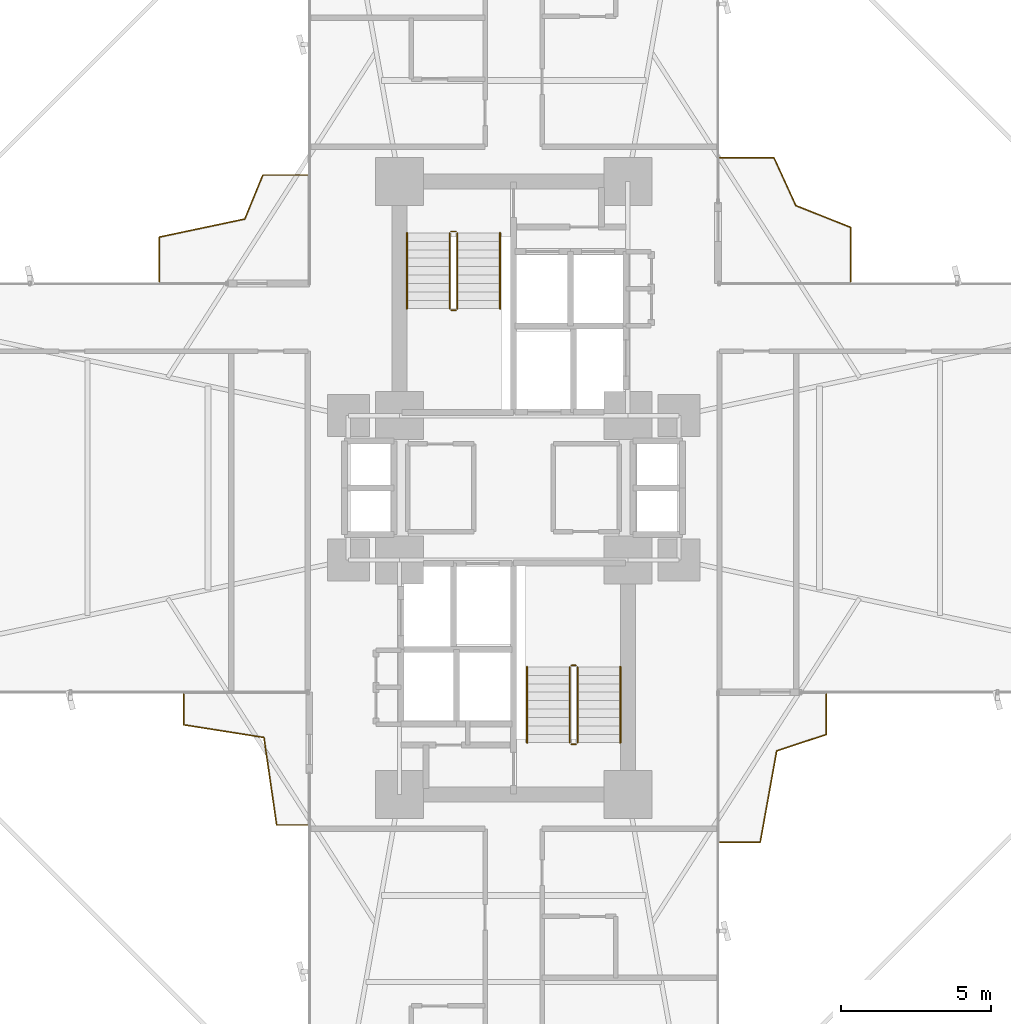
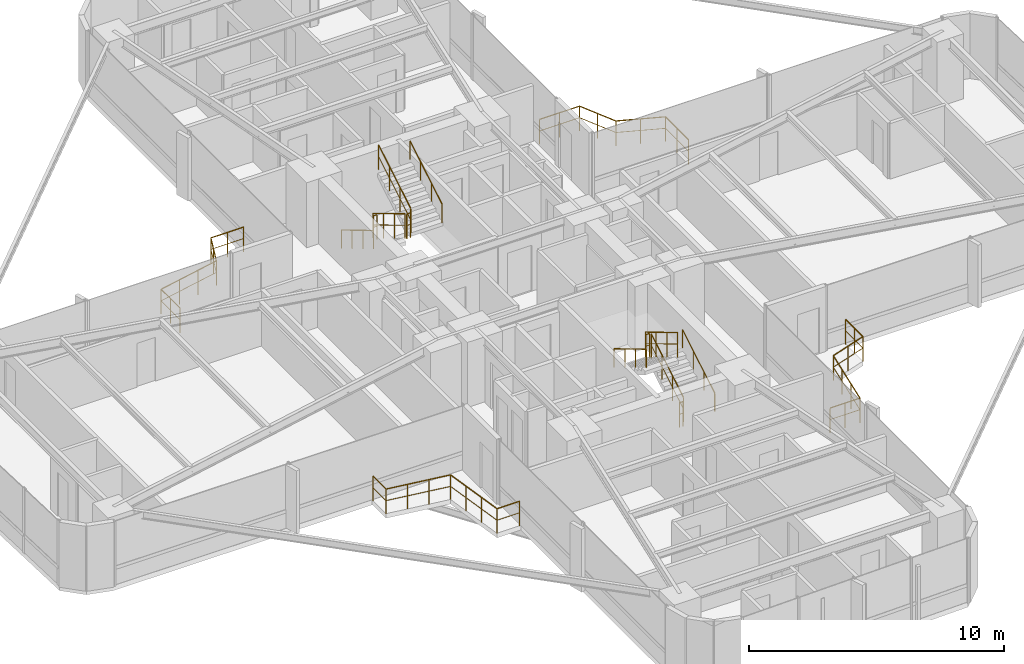
# One storey, part 26 of 26: 16 railings.
"""IFC4 building model written with IfcOpenShell, lengths in metres."""

from ifc_helpers import new_model, si_unit, direction, frame, origin, origin_2d, place, context, subcontext, project, spatial, circle, extrude, material, type_object, element, save


model = new_model("IFC4")

# Units and contexts
model_context = context("Model", 3, precision=1e-05, world=origin(), true_north=direction((0.0, 1.0)))
body_context = subcontext(model_context, "Body", "Model", "MODEL_VIEW")
ifc_project = project(units=[si_unit("LENGTHUNIT", "METRE"), si_unit("AREAUNIT", "SQUARE_METRE"), si_unit("VOLUMEUNIT", "CUBIC_METRE"), si_unit("PLANEANGLEUNIT", "RADIAN"), si_unit("MASSUNIT", "GRAM", prefix="KILO")], contexts=[model_context])

# Site, building, storey
site_placement = place(None, origin())
site = spatial("IfcSite", under=ifc_project, at=site_placement, CompositionType="ELEMENT")
building_placement = place(site_placement, origin())
building = spatial("IfcBuilding", under=site, at=building_placement, Name="Sahyath Konkavel Grand Hotel", CompositionType="ELEMENT")
storey_placement = place(building_placement, frame((0.0, 0.0, 61.10009765625)))
storey = spatial("IfcBuildingStorey", under=building, at=storey_placement, Name="L16", CompositionType="ELEMENT", Elevation=61.10009765625)

# Railings
ifc_material_1 = material(Name="Anodised Bronze Aluminium", Category="aluminium")
railing_type_1 = type_object("IfcRailingType", Name="RLG-BALC-1200", PredefinedType="GUARDRAIL", material=ifc_material_1)
railing_1_placement = place(storey_placement, frame((11.219970703125, 6.860107421875, 0.0)))
element("IfcRailing", 1, at=railing_1_placement, inside=storey, type_object=railing_type_1, Name="L16 Winter-Garden Guard NE", PredefinedType="GUARDRAIL", context=body_context, shape_type="SweptSolid", body=[
    extrude(circle(Radius=0.02392578125, at=origin_2d()), frame((0.0, 0.001953125, 1.17578125), z_axis=(0.0, 1.0, 0.0), x_axis=(-1.0, 0.0, 0.0)), (0.0, 0.0, 1.0), 1.80224609375),
    extrude(circle(Radius=0.01416015625, at=origin_2d()), frame((0.0, 0.001953125, 0.6240234375), z_axis=(0.0, 1.0, 0.0), x_axis=(-1.0, 0.0, 0.0)), (0.0, 0.0, 1.0), 1.80224609375),
    extrude(circle(Radius=0.02392578125, at=origin_2d()), frame((-0.001953125, 1.806884765625, 1.17578125), z_axis=(-0.929406921008, 0.369056601597, 0.0), x_axis=(-0.369056601597, -0.929406921008, 0.0)), (0.0, 0.0, 1.0), 1.962646484375),
    extrude(circle(Radius=0.01416015625, at=origin_2d()), frame((-0.001953125, 1.806884765625, 0.6240234375), z_axis=(-0.929406921008, 0.369056601597, 0.0), x_axis=(-0.369056601597, -0.929406921008, 0.0)), (0.0, 0.0, 1.0), 1.962646484375),
    extrude(circle(Radius=0.02392578125, at=origin_2d()), frame((-1.82861328125, 2.53369140625, 1.17578125), z_axis=(-0.415730017922, 0.909488071499, 0.0), x_axis=(-0.909488071499, -0.415730017922, 0.0)), (0.0, 0.0, 1.0), 1.741943359375),
    extrude(circle(Radius=0.01416015625, at=origin_2d()), frame((-1.82861328125, 2.53369140625, 0.6240234375), z_axis=(-0.415730017922, 0.909488071499, 0.0), x_axis=(-0.909488071499, -0.415730017922, 0.0)), (0.0, 0.0, 1.0), 1.741943359375),
    extrude(circle(Radius=0.02392578125, at=origin_2d()), frame((-2.5556640625, 4.119873046875, 1.17578125), z_axis=(-1.0, 0.0, 0.0), x_axis=(0.0, -1.0, 0.0)), (0.0, 0.0, 1.0), 1.80224609375),
    extrude(circle(Radius=0.01416015625, at=origin_2d()), frame((-2.5556640625, 4.119873046875, 0.6240234375), z_axis=(-1.0, 0.0, 0.0), x_axis=(0.0, -1.0, 0.0)), (0.0, 0.0, 1.0), 1.80224609375),
    extrude(circle(Radius=0.02099609375, at=origin_2d()), origin(), (0.0, 0.0, 1.0), 1.15185546875),
    extrude(circle(Radius=0.02099609375, at=origin_2d()), frame((0.0, 0.903076171875, 0.0)), (0.0, 0.0, 1.0), 1.15185546875),
    extrude(circle(Radius=0.02099609375, at=origin_2d()), frame((0.0, 1.80615234375, 0.0)), (0.0, 0.0, 1.0), 1.15185546875),
    extrude(circle(Radius=0.02099609375, at=origin_2d()), frame((-0.9140625, 2.1689453125, 0.0)), (0.0, 0.0, 1.0), 1.15185546875),
    extrude(circle(Radius=0.02099609375, at=origin_2d()), frame((-1.827880859375, 2.531982421875, 0.0)), (0.0, 0.0, 1.0), 1.15185546875),
    extrude(circle(Radius=0.02099609375, at=origin_2d()), frame((-2.19091796875, 3.325927734375, 0.0)), (0.0, 0.0, 1.0), 1.15185546875),
    extrude(circle(Radius=0.02099609375, at=origin_2d()), frame((-2.5537109375, 4.119873046875, 0.0)), (0.0, 0.0, 1.0), 1.15185546875),
    extrude(circle(Radius=0.02099609375, at=origin_2d()), frame((-3.456787109375, 4.119873046875, 0.0)), (0.0, 0.0, 1.0), 1.15185546875),
    extrude(circle(Radius=0.02099609375, at=origin_2d()), frame((-4.35986328125, 4.119873046875, 0.0)), (0.0, 0.0, 1.0), 1.15185546875),
])
railing_2_placement = place(storey_placement, frame((-6.860107421875, 10.409912109375, 0.0)))
element("IfcRailing", 2, at=railing_2_placement, inside=storey, type_object=railing_type_1, Name="L16 Winter-Garden Guard NW", PredefinedType="GUARDRAIL", context=body_context, shape_type="SweptSolid", body=[
    extrude(circle(Radius=0.02392578125, at=origin_2d()), frame((-0.001953125, 0.0, 1.17578125), z_axis=(-1.0, 0.0, 0.0), x_axis=(0.0, -1.0, 0.0)), (0.0, 0.0, 1.0), 1.48046875),
    extrude(circle(Radius=0.01416015625, at=origin_2d()), frame((-0.001953125, 0.0, 0.6240234375), z_axis=(-1.0, 0.0, 0.0), x_axis=(0.0, -1.0, 0.0)), (0.0, 0.0, 1.0), 1.48046875),
    extrude(circle(Radius=0.02392578125, at=origin_2d()), frame((-1.485107421875, -0.001953125, 1.17578125), z_axis=(-0.379353281135, -0.925251905208, 0.0), x_axis=(0.925251905208, -0.379353281135, 0.0)), (0.0, 0.0, 1.0), 1.5791015625),
    extrude(circle(Radius=0.01416015625, at=origin_2d()), frame((-1.485107421875, -0.001953125, 0.6240234375), z_axis=(-0.379353281135, -0.925251905208, 0.0), x_axis=(0.925251905208, -0.379353281135, 0.0)), (0.0, 0.0, 1.0), 1.5791015625),
    extrude(circle(Radius=0.02392578125, at=origin_2d()), frame((-2.0869140625, -1.46533203125, 1.17578125), z_axis=(-0.978435604033, -0.206552096964, 0.0), x_axis=(0.206552096964, -0.978435604033, 0.0)), (0.0, 0.0, 1.0), 2.903564453125),
    extrude(circle(Radius=0.01416015625, at=origin_2d()), frame((-2.0869140625, -1.46533203125, 0.6240234375), z_axis=(-0.978435604033, -0.206552096964, 0.0), x_axis=(0.206552096964, -0.978435604033, 0.0)), (0.0, 0.0, 1.0), 2.903564453125),
    extrude(circle(Radius=0.02392578125, at=origin_2d()), frame((-4.929931640625, -2.0673828125, 1.17578125), z_axis=(0.0, -1.0, 0.0), x_axis=(1.0, 0.0, 0.0)), (0.0, 0.0, 1.0), 1.48046875),
    extrude(circle(Radius=0.01416015625, at=origin_2d()), frame((-4.929931640625, -2.0673828125, 0.6240234375), z_axis=(0.0, -1.0, 0.0), x_axis=(1.0, 0.0, 0.0)), (0.0, 0.0, 1.0), 1.48046875),
    extrude(circle(Radius=0.02099609375, at=origin_2d()), origin(), (0.0, 0.0, 1.0), 1.15185546875),
    extrude(circle(Radius=0.02099609375, at=origin_2d()), frame((-0.7421875, 0.0, 0.0)), (0.0, 0.0, 1.0), 1.15185546875),
    extrude(circle(Radius=0.02099609375, at=origin_2d()), frame((-1.484375, 0.0, 0.0)), (0.0, 0.0, 1.0), 1.15185546875),
    extrude(circle(Radius=0.02099609375, at=origin_2d()), frame((-1.78466796875, -0.732421875, 0.0)), (0.0, 0.0, 1.0), 1.15185546875),
    extrude(circle(Radius=0.02099609375, at=origin_2d()), frame((-2.0849609375, -1.46484375, 0.0)), (0.0, 0.0, 1.0), 1.15185546875),
    extrude(circle(Radius=0.02099609375, at=origin_2d()), frame((-3.033203125, -1.6650390625, 0.0)), (0.0, 0.0, 1.0), 1.15185546875),
    extrude(circle(Radius=0.02099609375, at=origin_2d()), frame((-3.981689453125, -1.865234375, 0.0)), (0.0, 0.0, 1.0), 1.15185546875),
    extrude(circle(Radius=0.02099609375, at=origin_2d()), frame((-4.929931640625, -2.0654296875, 0.0)), (0.0, 0.0, 1.0), 1.15185546875),
    extrude(circle(Radius=0.02099609375, at=origin_2d()), frame((-4.929931640625, -2.8076171875, 0.0)), (0.0, 0.0, 1.0), 1.15185546875),
    extrude(circle(Radius=0.02099609375, at=origin_2d()), frame((-4.929931640625, -3.5498046875, 0.0)), (0.0, 0.0, 1.0), 1.15185546875),
])
railing_3_placement = place(storey_placement, frame((-10.97998046875, -6.860107421875, 0.0)))
element("IfcRailing", 3, at=railing_3_placement, inside=storey, type_object=railing_type_1, Name="L16 Winter-Garden Guard SW", PredefinedType="GUARDRAIL", context=body_context, shape_type="SweptSolid", body=[
    extrude(circle(Radius=0.02392578125, at=origin_2d()), frame((0.0, -0.001953125, 1.17578125), z_axis=(0.0, -1.0, 0.0), x_axis=(1.0, 0.0, 0.0)), (0.0, 0.0, 1.0), 1.021728515625),
    extrude(circle(Radius=0.01416015625, at=origin_2d()), frame((0.0, -0.001953125, 0.6240234375), z_axis=(0.0, -1.0, 0.0), x_axis=(1.0, 0.0, 0.0)), (0.0, 0.0, 1.0), 1.021728515625),
    extrude(circle(Radius=0.02392578125, at=origin_2d()), frame((0.001953125, -1.02587890625, 1.17578125), z_axis=(0.98773514177, -0.156138687433, 0.0), x_axis=(0.156138687433, 0.98773514177, 0.0)), (0.0, 0.0, 1.0), 2.701171875),
    extrude(circle(Radius=0.01416015625, at=origin_2d()), frame((0.001953125, -1.02587890625, 0.6240234375), z_axis=(0.98773514177, -0.156138687433, 0.0), x_axis=(0.156138687433, 0.98773514177, 0.0)), (0.0, 0.0, 1.0), 2.701171875),
    extrude(circle(Radius=0.02392578125, at=origin_2d()), frame((2.672119140625, -1.449951171875, 1.17578125), z_axis=(0.143546851164, -0.989643522447, 0.0), x_axis=(0.989643522447, 0.143546851164, 0.0)), (0.0, 0.0, 1.0), 2.938232421875),
    extrude(circle(Radius=0.01416015625, at=origin_2d()), frame((2.672119140625, -1.449951171875, 0.6240234375), z_axis=(0.143546851164, -0.989643522447, 0.0), x_axis=(0.989643522447, 0.143546851164, 0.0)), (0.0, 0.0, 1.0), 2.938232421875),
    extrude(circle(Radius=0.02392578125, at=origin_2d()), frame((3.09619140625, -4.35986328125, 1.17578125), z_axis=(1.0, 0.0, 0.0), x_axis=(0.0, 1.0, 0.0)), (0.0, 0.0, 1.0), 1.021728515625),
    extrude(circle(Radius=0.01416015625, at=origin_2d()), frame((3.09619140625, -4.35986328125, 0.6240234375), z_axis=(1.0, 0.0, 0.0), x_axis=(0.0, 1.0, 0.0)), (0.0, 0.0, 1.0), 1.021728515625),
    extrude(circle(Radius=0.02099609375, at=origin_2d()), origin(), (0.0, 0.0, 1.0), 1.15185546875),
    extrude(circle(Radius=0.02099609375, at=origin_2d()), frame((0.0, -1.025634765625, 0.0)), (0.0, 0.0, 1.0), 1.15185546875),
    extrude(circle(Radius=0.02099609375, at=origin_2d()), frame((0.890625, -1.16650390625, 0.0)), (0.0, 0.0, 1.0), 1.15185546875),
    extrude(circle(Radius=0.02099609375, at=origin_2d()), frame((1.78125, -1.30712890625, 0.0)), (0.0, 0.0, 1.0), 1.15185546875),
    extrude(circle(Radius=0.02099609375, at=origin_2d()), frame((2.671875, -1.447998046875, 0.0)), (0.0, 0.0, 1.0), 1.15185546875),
    extrude(circle(Radius=0.02099609375, at=origin_2d()), frame((2.812744140625, -2.418701171875, 0.0)), (0.0, 0.0, 1.0), 1.15185546875),
    extrude(circle(Radius=0.02099609375, at=origin_2d()), frame((2.953369140625, -3.38916015625, 0.0)), (0.0, 0.0, 1.0), 1.15185546875),
    extrude(circle(Radius=0.02099609375, at=origin_2d()), frame((3.09423828125, -4.35986328125, 0.0)), (0.0, 0.0, 1.0), 1.15185546875),
    extrude(circle(Radius=0.02099609375, at=origin_2d()), frame((4.119873046875, -4.35986328125, 0.0)), (0.0, 0.0, 1.0), 1.15185546875),
])
railing_4_placement = place(storey_placement, frame((6.860107421875, -11.7900390625, 0.0)))
element("IfcRailing", 4, at=railing_4_placement, inside=storey, type_object=railing_type_1, Name="L16 Winter-Garden Guard SE", PredefinedType="GUARDRAIL", context=body_context, shape_type="SweptSolid", body=[
    extrude(circle(Radius=0.02392578125, at=origin_2d()), frame((0.001953125, 0.0, 1.17578125), z_axis=(1.0, 0.0, 0.0), x_axis=(0.0, 1.0, 0.0)), (0.0, 0.0, 1.0), 1.343505859375),
    extrude(circle(Radius=0.01416015625, at=origin_2d()), frame((0.001953125, 0.0, 0.6240234375), z_axis=(1.0, 0.0, 0.0), x_axis=(0.0, 1.0, 0.0)), (0.0, 0.0, 1.0), 1.343505859375),
    extrude(circle(Radius=0.02392578125, at=origin_2d()), frame((1.34765625, 0.001953125, 1.17578125), z_axis=(0.177478096169, 0.984124750924, 0.0), x_axis=(-0.984124750924, 0.177478096169, 0.0)), (0.0, 0.0, 1.0), 3.080078125),
    extrude(circle(Radius=0.01416015625, at=origin_2d()), frame((1.34765625, 0.001953125, 0.6240234375), z_axis=(0.177478096169, 0.984124750924, 0.0), x_axis=(-0.984124750924, 0.177478096169, 0.0)), (0.0, 0.0, 1.0), 3.080078125),
    extrude(circle(Radius=0.02392578125, at=origin_2d()), frame((1.896728515625, 3.035888671875, 1.17578125), z_axis=(0.949422968273, 0.314000043497, 0.0), x_axis=(-0.314000043497, 0.949422968273, 0.0)), (0.0, 0.0, 1.0), 1.7392578125),
    extrude(circle(Radius=0.01416015625, at=origin_2d()), frame((1.896728515625, 3.035888671875, 0.6240234375), z_axis=(0.949422968273, 0.314000043497, 0.0), x_axis=(-0.314000043497, 0.949422968273, 0.0)), (0.0, 0.0, 1.0), 1.7392578125),
    extrude(circle(Radius=0.02392578125, at=origin_2d()), frame((3.5498046875, 3.58447265625, 1.17578125), z_axis=(0.0, 1.0, 0.0), x_axis=(-1.0, 0.0, 0.0)), (0.0, 0.0, 1.0), 1.343505859375),
    extrude(circle(Radius=0.01416015625, at=origin_2d()), frame((3.5498046875, 3.58447265625, 0.6240234375), z_axis=(0.0, 1.0, 0.0), x_axis=(-1.0, 0.0, 0.0)), (0.0, 0.0, 1.0), 1.343505859375),
    extrude(circle(Radius=0.02099609375, at=origin_2d()), origin(), (0.0, 0.0, 1.0), 1.15185546875),
    extrude(circle(Radius=0.02099609375, at=origin_2d()), frame((0.673828125, 0.0, 0.0)), (0.0, 0.0, 1.0), 1.15185546875),
    extrude(circle(Radius=0.02099609375, at=origin_2d()), frame((1.347412109375, 0.0, 0.0)), (0.0, 0.0, 1.0), 1.15185546875),
    extrude(circle(Radius=0.02099609375, at=origin_2d()), frame((1.52978515625, 1.01171875, 0.0)), (0.0, 0.0, 1.0), 1.15185546875),
    extrude(circle(Radius=0.02099609375, at=origin_2d()), frame((1.71240234375, 2.0234375, 0.0)), (0.0, 0.0, 1.0), 1.15185546875),
    extrude(circle(Radius=0.02099609375, at=origin_2d()), frame((1.894775390625, 3.03515625, 0.0)), (0.0, 0.0, 1.0), 1.15185546875),
    extrude(circle(Radius=0.02099609375, at=origin_2d()), frame((2.72216796875, 3.308837890625, 0.0)), (0.0, 0.0, 1.0), 1.15185546875),
    extrude(circle(Radius=0.02099609375, at=origin_2d()), frame((3.5498046875, 3.58251953125, 0.0)), (0.0, 0.0, 1.0), 1.15185546875),
    extrude(circle(Radius=0.02099609375, at=origin_2d()), frame((3.5498046875, 4.25634765625, 0.0)), (0.0, 0.0, 1.0), 1.15185546875),
    extrude(circle(Radius=0.02099609375, at=origin_2d()), frame((3.5498046875, 4.929931640625, 0.0)), (0.0, 0.0, 1.0), 1.15185546875),
])
ifc_material_2 = material(Name="Steel E350", Category="steel")
railing_type_2 = type_object("IfcRailingType", Name="RLG-STAIR-GRD", PredefinedType="GUARDRAIL", material=ifc_material_2)
railing_5_placement = place(storey_placement, frame((-2.1298828125, 8.47998046875, 0.16748046875)))
element("IfcRailing", 5, at=railing_5_placement, inside=storey, type_object=railing_type_2, Name="L16 ST-1 stair guard 1", PredefinedType="GUARDRAIL", context=body_context, shape_type="SweptSolid", body=[
    extrude(circle(Radius=0.02392578125, at=origin_2d()), frame((0.0, -0.001708984375, 1.177001953125), z_axis=(0.0, -0.858196387827, 0.513321497621), x_axis=(1.0, 0.0, 0.0)), (0.0, 0.0, 1.0), 2.932373046875),
    extrude(circle(Radius=0.01416015625, at=origin_2d()), frame((0.0, -0.001708984375, 0.625), z_axis=(0.0, -0.858196387827, 0.513321497621), x_axis=(1.0, 0.0, 0.0)), (0.0, 0.0, 1.0), 2.932373046875),
    extrude(circle(Radius=0.02099609375, at=origin_2d()), origin(), (0.0, 0.0, 1.0), 1.15185546875),
    extrude(circle(Radius=0.02099609375, at=origin_2d()), frame((0.0, -0.840087890625, 0.50244140625)), (0.0, 0.0, 1.0), 1.15185546875),
    extrude(circle(Radius=0.02099609375, at=origin_2d()), frame((0.0, -1.679931640625, 1.0048828125)), (0.0, 0.0, 1.0), 1.15185546875),
    extrude(circle(Radius=0.02099609375, at=origin_2d()), frame((0.0, -2.52001953125, 1.50732421875)), (0.0, 0.0, 1.0), 1.15185546875),
])
railing_6_placement = place(storey_placement, frame((-2.080078125, 5.909912109375, 1.6748046875)))
element("IfcRailing", 6, at=railing_6_placement, inside=storey, type_object=railing_type_2, Name="L16 ST-1 stair guard 2", PredefinedType="GUARDRAIL", context=body_context, shape_type="SweptSolid", body=[
    extrude(circle(Radius=0.02392578125, at=origin_2d()), frame((0.001953125, 0.0, 1.17578125), z_axis=(1.0, 0.0, 0.0), x_axis=(0.0, 1.0, 0.0)), (0.0, 0.0, 1.0), 0.15625),
    extrude(circle(Radius=0.01416015625, at=origin_2d()), frame((0.001953125, 0.0, 0.6240234375), z_axis=(1.0, 0.0, 0.0), x_axis=(0.0, 1.0, 0.0)), (0.0, 0.0, 1.0), 0.15625),
    extrude(circle(Radius=0.02099609375, at=origin_2d()), origin(), (0.0, 0.0, 1.0), 1.15185546875),
    extrude(circle(Radius=0.02099609375, at=origin_2d()), frame((0.16015625, 0.0, 0.0)), (0.0, 0.0, 1.0), 1.15185546875),
])
railing_7_placement = place(storey_placement, frame((-1.8701171875, 5.9599609375, 1.84228515625)))
element("IfcRailing", 7, at=railing_7_placement, inside=storey, type_object=railing_type_2, Name="L16 ST-1 stair guard 3", PredefinedType="GUARDRAIL", context=body_context, shape_type="SweptSolid", body=[
    extrude(circle(Radius=0.02392578125, at=origin_2d()), frame((0.0, 0.001708984375, 1.177001953125), z_axis=(0.0, 0.858159760407, 0.513382728203), x_axis=(-1.0, 0.0, 0.0)), (0.0, 0.0, 1.0), 2.9326171875),
    extrude(circle(Radius=0.01416015625, at=origin_2d()), frame((0.0, 0.001708984375, 0.625), z_axis=(0.0, 0.858159760407, 0.513382728203), x_axis=(-1.0, 0.0, 0.0)), (0.0, 0.0, 1.0), 2.9326171875),
    extrude(circle(Radius=0.02099609375, at=origin_2d()), origin(), (0.0, 0.0, 1.0), 1.15185546875),
    extrude(circle(Radius=0.02099609375, at=origin_2d()), frame((0.0, 0.840087890625, 0.50244140625)), (0.0, 0.0, 1.0), 1.15185546875),
    extrude(circle(Radius=0.02099609375, at=origin_2d()), frame((0.0, 1.679931640625, 1.005126953125)), (0.0, 0.0, 1.0), 1.15185546875),
    extrude(circle(Radius=0.02099609375, at=origin_2d()), frame((0.0, 2.52001953125, 1.507568359375)), (0.0, 0.0, 1.0), 1.15185546875),
])
railing_8_placement = place(storey_placement, frame((-2.080078125, 8.530029296875, 0.0)))
element("IfcRailing", 8, at=railing_8_placement, inside=storey, type_object=railing_type_2, Name="L16 ST-1 stair guard 4", PredefinedType="GUARDRAIL", context=body_context, shape_type="SweptSolid", body=[
    extrude(circle(Radius=0.02392578125, at=origin_2d()), frame((0.001953125, 0.0, 1.17578125), z_axis=(1.0, 0.0, 0.0), x_axis=(0.0, 1.0, 0.0)), (0.0, 0.0, 1.0), 0.15625),
    extrude(circle(Radius=0.01416015625, at=origin_2d()), frame((0.001953125, 0.0, 0.6240234375), z_axis=(1.0, 0.0, 0.0), x_axis=(0.0, 1.0, 0.0)), (0.0, 0.0, 1.0), 0.15625),
    extrude(circle(Radius=0.02099609375, at=origin_2d()), origin(), (0.0, 0.0, 1.0), 1.15185546875),
    extrude(circle(Radius=0.02099609375, at=origin_2d()), frame((0.16015625, 0.0, 0.0)), (0.0, 0.0, 1.0), 1.15185546875),
])
railing_9_placement = place(storey_placement, frame((2.1298828125, -8.47998046875, 0.16748046875)))
element("IfcRailing", 9, at=railing_9_placement, inside=storey, type_object=railing_type_2, Name="L16 ST-2 stair guard 1", PredefinedType="GUARDRAIL", context=body_context, shape_type="SweptSolid", body=[
    extrude(circle(Radius=0.02392578125, at=origin_2d()), frame((0.0, 0.001708984375, 1.177001953125), z_axis=(0.0, 0.858196387827, 0.513321497621), x_axis=(-1.0, 0.0, 0.0)), (0.0, 0.0, 1.0), 2.932373046875),
    extrude(circle(Radius=0.01416015625, at=origin_2d()), frame((0.0, 0.001708984375, 0.625), z_axis=(0.0, 0.858196387827, 0.513321497621), x_axis=(-1.0, 0.0, 0.0)), (0.0, 0.0, 1.0), 2.932373046875),
    extrude(circle(Radius=0.02099609375, at=origin_2d()), origin(), (0.0, 0.0, 1.0), 1.15185546875),
    extrude(circle(Radius=0.02099609375, at=origin_2d()), frame((0.0, 0.840087890625, 0.50244140625)), (0.0, 0.0, 1.0), 1.15185546875),
    extrude(circle(Radius=0.02099609375, at=origin_2d()), frame((0.0, 1.679931640625, 1.0048828125)), (0.0, 0.0, 1.0), 1.15185546875),
    extrude(circle(Radius=0.02099609375, at=origin_2d()), frame((0.0, 2.52001953125, 1.50732421875)), (0.0, 0.0, 1.0), 1.15185546875),
])
railing_10_placement = place(storey_placement, frame((2.080078125, -5.909912109375, 1.6748046875)))
element("IfcRailing", 10, at=railing_10_placement, inside=storey, type_object=railing_type_2, Name="L16 ST-2 stair guard 2", PredefinedType="GUARDRAIL", context=body_context, shape_type="SweptSolid", body=[
    extrude(circle(Radius=0.02392578125, at=origin_2d()), frame((-0.001953125, 0.0, 1.17578125), z_axis=(-1.0, 0.0, 0.0), x_axis=(0.0, -1.0, 0.0)), (0.0, 0.0, 1.0), 0.15625),
    extrude(circle(Radius=0.01416015625, at=origin_2d()), frame((-0.001953125, 0.0, 0.6240234375), z_axis=(-1.0, 0.0, 0.0), x_axis=(0.0, -1.0, 0.0)), (0.0, 0.0, 1.0), 0.15625),
    extrude(circle(Radius=0.02099609375, at=origin_2d()), origin(), (0.0, 0.0, 1.0), 1.15185546875),
    extrude(circle(Radius=0.02099609375, at=origin_2d()), frame((-0.16015625, 0.0, 0.0)), (0.0, 0.0, 1.0), 1.15185546875),
])
railing_11_placement = place(storey_placement, frame((1.8701171875, -5.9599609375, 1.84228515625)))
element("IfcRailing", 11, at=railing_11_placement, inside=storey, type_object=railing_type_2, Name="L16 ST-2 stair guard 3", PredefinedType="GUARDRAIL", context=body_context, shape_type="SweptSolid", body=[
    extrude(circle(Radius=0.02392578125, at=origin_2d()), frame((0.0, -0.001708984375, 1.177001953125), z_axis=(0.0, -0.858159760407, 0.513382728203), x_axis=(1.0, 0.0, 0.0)), (0.0, 0.0, 1.0), 2.9326171875),
    extrude(circle(Radius=0.01416015625, at=origin_2d()), frame((0.0, -0.001708984375, 0.625), z_axis=(0.0, -0.858159760407, 0.513382728203), x_axis=(1.0, 0.0, 0.0)), (0.0, 0.0, 1.0), 2.9326171875),
    extrude(circle(Radius=0.02099609375, at=origin_2d()), origin(), (0.0, 0.0, 1.0), 1.15185546875),
    extrude(circle(Radius=0.02099609375, at=origin_2d()), frame((0.0, -0.840087890625, 0.50244140625)), (0.0, 0.0, 1.0), 1.15185546875),
    extrude(circle(Radius=0.02099609375, at=origin_2d()), frame((0.0, -1.679931640625, 1.005126953125)), (0.0, 0.0, 1.0), 1.15185546875),
    extrude(circle(Radius=0.02099609375, at=origin_2d()), frame((0.0, -2.52001953125, 1.507568359375)), (0.0, 0.0, 1.0), 1.15185546875),
])
railing_12_placement = place(storey_placement, frame((2.080078125, -8.530029296875, 0.0)))
element("IfcRailing", 12, at=railing_12_placement, inside=storey, type_object=railing_type_2, Name="L16 ST-2 stair guard 4", PredefinedType="GUARDRAIL", context=body_context, shape_type="SweptSolid", body=[
    extrude(circle(Radius=0.02392578125, at=origin_2d()), frame((-0.001953125, 0.0, 1.17578125), z_axis=(-1.0, 0.0, 0.0), x_axis=(0.0, -1.0, 0.0)), (0.0, 0.0, 1.0), 0.15625),
    extrude(circle(Radius=0.01416015625, at=origin_2d()), frame((-0.001953125, 0.0, 0.6240234375), z_axis=(-1.0, 0.0, 0.0), x_axis=(0.0, -1.0, 0.0)), (0.0, 0.0, 1.0), 0.15625),
    extrude(circle(Radius=0.02099609375, at=origin_2d()), origin(), (0.0, 0.0, 1.0), 1.15185546875),
    extrude(circle(Radius=0.02099609375, at=origin_2d()), frame((-0.16015625, 0.0, 0.0)), (0.0, 0.0, 1.0), 1.15185546875),
])
railing_type_3 = type_object("IfcRailingType", Name="RLG-STAIR-HND", PredefinedType="HANDRAIL", material=ifc_material_1)
railing_13_placement = place(storey_placement, frame((-3.550048828125, 8.47998046875, 0.16748046875)))
element("IfcRailing", 13, at=railing_13_placement, inside=storey, type_object=railing_type_3, Name="L16 ST-1 stair handrail 1", PredefinedType="HANDRAIL", context=body_context, shape_type="SweptSolid", body=[
    extrude(circle(Radius=0.02392578125, at=origin_2d()), frame((0.0, -0.001708984375, 0.876953125), z_axis=(0.0, -0.858196387827, 0.513321497621), x_axis=(1.0, 0.0, 0.0)), (0.0, 0.0, 1.0), 2.932373046875),
    extrude(circle(Radius=0.02099609375, at=origin_2d()), origin(), (0.0, 0.0, 1.0), 0.851806640625),
    extrude(circle(Radius=0.02099609375, at=origin_2d()), frame((0.0, -0.840087890625, 0.50244140625)), (0.0, 0.0, 1.0), 0.851806640625),
    extrude(circle(Radius=0.02099609375, at=origin_2d()), frame((0.0, -1.679931640625, 1.0048828125)), (0.0, 0.0, 1.0), 0.851806640625),
    extrude(circle(Radius=0.02099609375, at=origin_2d()), frame((0.0, -2.52001953125, 1.50732421875)), (0.0, 0.0, 1.0), 0.851806640625),
])
railing_14_placement = place(storey_placement, frame((-0.449951171875, 5.9599609375, 1.84228515625)))
element("IfcRailing", 14, at=railing_14_placement, inside=storey, type_object=railing_type_3, Name="L16 ST-1 stair handrail 2", PredefinedType="HANDRAIL", context=body_context, shape_type="SweptSolid", body=[
    extrude(circle(Radius=0.02392578125, at=origin_2d()), frame((0.0, 0.001708984375, 0.876953125), z_axis=(0.0, 0.858159760407, 0.513382728203), x_axis=(-1.0, 0.0, 0.0)), (0.0, 0.0, 1.0), 2.9326171875),
    extrude(circle(Radius=0.02099609375, at=origin_2d()), origin(), (0.0, 0.0, 1.0), 0.851806640625),
    extrude(circle(Radius=0.02099609375, at=origin_2d()), frame((0.0, 0.840087890625, 0.50244140625)), (0.0, 0.0, 1.0), 0.851806640625),
    extrude(circle(Radius=0.02099609375, at=origin_2d()), frame((0.0, 1.679931640625, 1.005126953125)), (0.0, 0.0, 1.0), 0.851806640625),
    extrude(circle(Radius=0.02099609375, at=origin_2d()), frame((0.0, 2.52001953125, 1.507568359375)), (0.0, 0.0, 1.0), 0.851806640625),
])
railing_15_placement = place(storey_placement, frame((3.550048828125, -8.47998046875, 0.16748046875)))
element("IfcRailing", 15, at=railing_15_placement, inside=storey, type_object=railing_type_3, Name="L16 ST-2 stair handrail 1", PredefinedType="HANDRAIL", context=body_context, shape_type="SweptSolid", body=[
    extrude(circle(Radius=0.02392578125, at=origin_2d()), frame((0.0, 0.001708984375, 0.876953125), z_axis=(0.0, 0.858196387827, 0.513321497621), x_axis=(-1.0, 0.0, 0.0)), (0.0, 0.0, 1.0), 2.932373046875),
    extrude(circle(Radius=0.02099609375, at=origin_2d()), origin(), (0.0, 0.0, 1.0), 0.851806640625),
    extrude(circle(Radius=0.02099609375, at=origin_2d()), frame((0.0, 0.840087890625, 0.50244140625)), (0.0, 0.0, 1.0), 0.851806640625),
    extrude(circle(Radius=0.02099609375, at=origin_2d()), frame((0.0, 1.679931640625, 1.0048828125)), (0.0, 0.0, 1.0), 0.851806640625),
    extrude(circle(Radius=0.02099609375, at=origin_2d()), frame((0.0, 2.52001953125, 1.50732421875)), (0.0, 0.0, 1.0), 0.851806640625),
])
railing_16_placement = place(storey_placement, frame((0.449951171875, -5.9599609375, 1.84228515625)))
element("IfcRailing", 16, at=railing_16_placement, inside=storey, type_object=railing_type_3, Name="L16 ST-2 stair handrail 2", PredefinedType="HANDRAIL", context=body_context, shape_type="SweptSolid", body=[
    extrude(circle(Radius=0.02392578125, at=origin_2d()), frame((0.0, -0.001708984375, 0.876953125), z_axis=(0.0, -0.858159760407, 0.513382728203), x_axis=(1.0, 0.0, 0.0)), (0.0, 0.0, 1.0), 2.9326171875),
    extrude(circle(Radius=0.02099609375, at=origin_2d()), origin(), (0.0, 0.0, 1.0), 0.851806640625),
    extrude(circle(Radius=0.02099609375, at=origin_2d()), frame((0.0, -0.840087890625, 0.50244140625)), (0.0, 0.0, 1.0), 0.851806640625),
    extrude(circle(Radius=0.02099609375, at=origin_2d()), frame((0.0, -1.679931640625, 1.005126953125)), (0.0, 0.0, 1.0), 0.851806640625),
    extrude(circle(Radius=0.02099609375, at=origin_2d()), frame((0.0, -2.52001953125, 1.507568359375)), (0.0, 0.0, 1.0), 0.851806640625),
])

save(model, "model.ifc")
